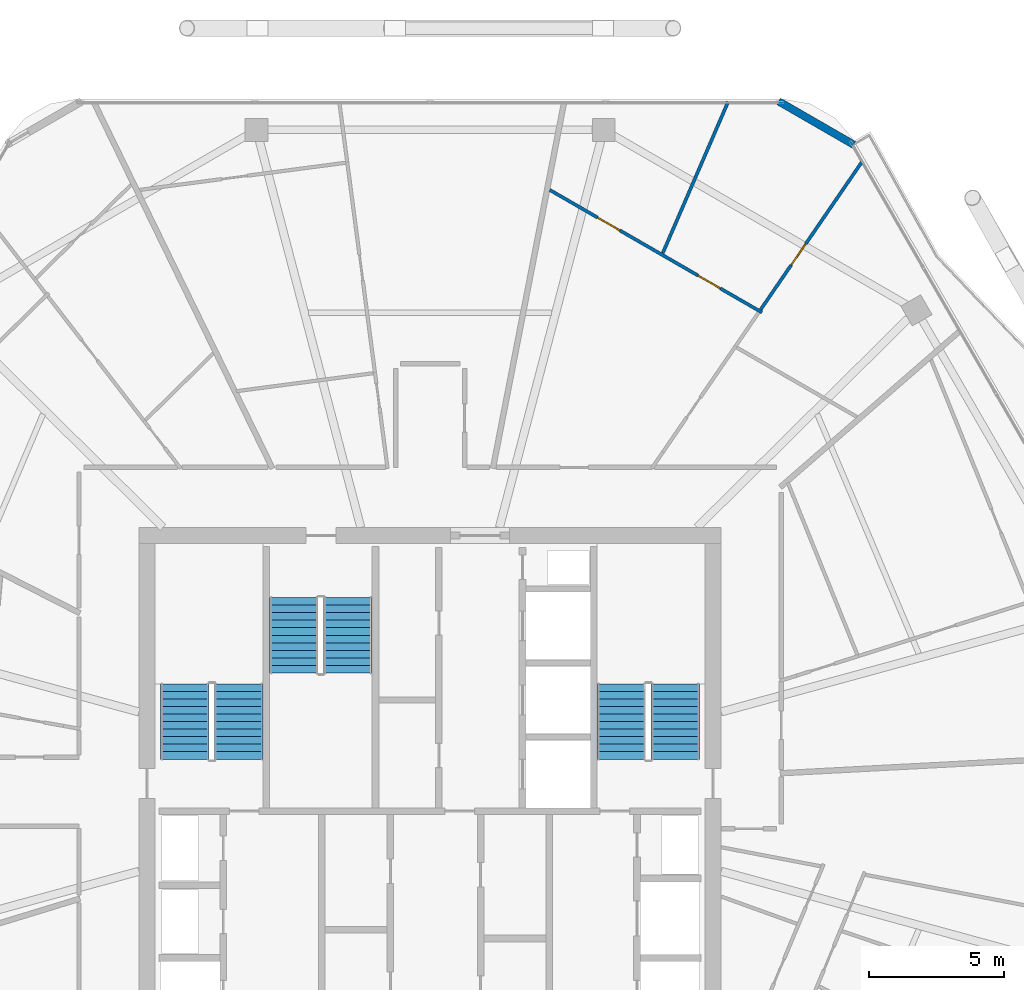
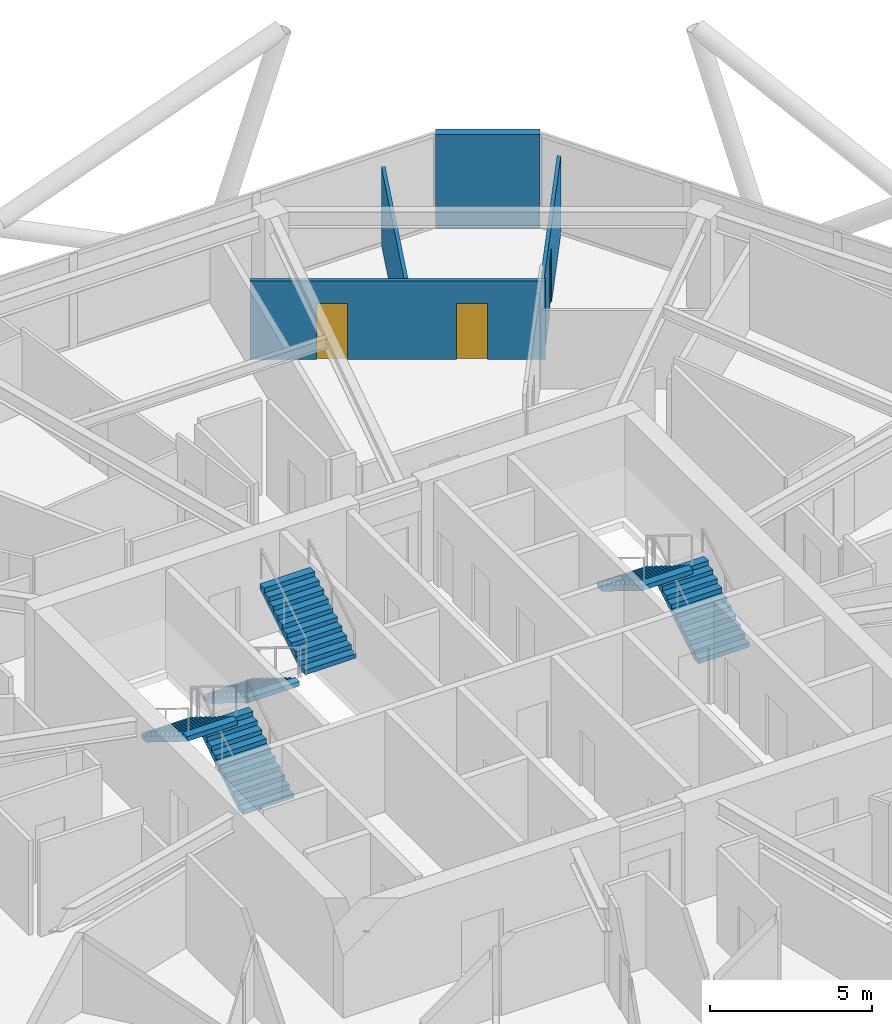
# One storey, part 25 of 28: 6 stair flights, 4 walls, 3 doors, 3 openings, 3 elements without a shape of their own.
"""IFC4 building model written with IfcOpenShell, lengths in metres."""

from ifc_helpers import new_model, si_unit, direction, frame, frame_2d, origin, place, context, subcontext, project, spatial, polyline, rectangle, outline, extrude, material, layer, layer_set, type_object, element, fill, aggregate, save


model = new_model("IFC4")

# Units and contexts
model_context = context("Model", 3, precision=1e-05, world=origin(), true_north=direction((0.0, 1.0)))
body_context = subcontext(model_context, "Body", "Model", "MODEL_VIEW")
ifc_project = project(units=[si_unit("LENGTHUNIT", "METRE"), si_unit("AREAUNIT", "SQUARE_METRE"), si_unit("VOLUMEUNIT", "CUBIC_METRE"), si_unit("PLANEANGLEUNIT", "RADIAN"), si_unit("MASSUNIT", "GRAM", prefix="KILO")], contexts=[model_context])

# Site, building, storey
site_placement = place(None, origin())
site = spatial("IfcSite", under=ifc_project, at=site_placement, CompositionType="ELEMENT")
building_placement = place(site_placement, origin())
building = spatial("IfcBuilding", under=site, at=building_placement, Name="Zuhravey Tower", CompositionType="ELEMENT")
storey_placement = place(building_placement, frame((0.0, 0.0, 284.39990234375)))
storey = spatial("IfcBuildingStorey", under=building, at=storey_placement, Name="L72", CompositionType="ELEMENT", Elevation=284.39990234375)

# Wall
ifc_material_1 = material(Name="Precast concrete C40/50", Category="concrete")
ifc_layer_1 = layer(ifc_material_1, 0.280029296875)
ifc_layer_set_1 = layer_set([ifc_layer_1], Name="Precast concrete C40/50")
wall_type_1 = type_object("IfcWallType", Name="Crown Architectural Wall 280", PredefinedType="SOLIDWALL", material=ifc_layer_set_1)
wall_1_placement = place(storey_placement, frame((48.930419921875, 57.611083984375, 0.0), z_axis=(0.0, 0.0, 1.0), x_axis=(0.866028773314, -0.499994163758, 0.0)))
element("IfcWall", 1, at=wall_1_placement, inside=storey, type_object=wall_type_1, Name="L72 Rounded Corner Closure Wall EW28-10", PredefinedType="SOLIDWALL", context=body_context, shape_type="SweptSolid", body=[
    extrude(rectangle(XDim=3.21484375, YDim=0.280029296875, at=frame_2d((1.607421875, 0.0))), origin(), (0.0, 0.0, 1.0), 3.550048828125),
])

# Wall, openings, doors
ifc_material_2 = material(Name="Gypsum metal-stud partition")
ifc_layer_2 = layer(ifc_material_2, 0.1201171875)
ifc_layer_set_2 = layer_set([ifc_layer_2], Name="Gypsum metal-stud partition")
wall_type_2 = type_object("IfcWallType", Name="Unit Internal Partition 120", PredefinedType="PARTITIONING", material=ifc_layer_set_2)
wall_2_placement = place(storey_placement, frame((48.312255859375, 49.77783203125, 0.0), z_axis=(0.0, 0.0, 1.0), x_axis=(-0.866028157381, 0.499995230601, 0.0)))
wall_2 = element("IfcWall", 2, at=wall_2_placement, inside=storey, type_object=wall_type_2, Name="L72 IW12 Partition 051", PredefinedType="PARTITIONING", context=body_context, shape_type="SweptSolid", body=[
    extrude(rectangle(XDim=9.09033203125, YDim=0.1201171875, at=frame_2d((4.545166015625, 0.0))), origin(), (0.0, 0.0, 1.0), 2.9501953125),
])
opening_1_placement = place(wall_2_placement, frame((1.7861328125, 0.0, 0.0)))
opening_1 = element("IfcOpeningElement", 3, at=opening_1_placement, cuts=wall_2, Name="Opening IND1", PredefinedType="OPENING", context=body_context, shape_type="SweptSolid", body=[
    extrude(rectangle(XDim=0.949951171875, YDim=2.10009765625, at=frame_2d((0.47509765625, 1.050048828125))), frame((0.0, 0.072021484375, 0.0), z_axis=(0.0, -1.0, 0.0), x_axis=(1.0, 0.0, 0.0)), (0.0, 0.0, 1.0), 0.14404296875),
])
opening_2_placement = place(wall_2_placement, frame((6.090576171875, 0.0, 0.0)))
opening_2 = element("IfcOpeningElement", 4, at=opening_2_placement, cuts=wall_2, Name="Opening IND1", PredefinedType="OPENING", context=body_context, shape_type="SweptSolid", body=[
    extrude(rectangle(XDim=0.949951171875, YDim=2.10009765625, at=frame_2d((0.47509765625, 1.050048828125))), frame((0.0, 0.072021484375, 0.0), z_axis=(0.0, -1.0, 0.0), x_axis=(1.0, 0.0, 0.0)), (0.0, 0.0, 1.0), 0.14404296875),
])
ifc_material_3 = material(Name="Painted engineered timber leaf", Category="wood")
door_type = type_object("IfcDoorType", Name="Internal Room & Bedroom Door 950x2100", OperationType="NOTDEFINED", PredefinedType="DOOR", material=ifc_material_3)
door_1_placement = place(opening_1_placement, frame((0.949951171875, 0.0, 0.0), z_axis=(0.0, 0.0, 1.0), x_axis=(-1.0, 0.0, 0.0)))
door_1 = element("IfcDoor", 5, at=door_1_placement, inside=storey, type_object=door_type, Name="Apartment L72-07 Family Study Door", OperationType="SINGLE_SWING_LEFT", OverallHeight=2.10009765625, OverallWidth=0.949951171875, PredefinedType="DOOR", context=body_context, shape_type="SweptSolid", body=[
    extrude(rectangle(XDim=0.949951171875, YDim=2.10009765625, at=frame_2d((0.47509765625, 1.050048828125))), frame((0.0, 0.02490234375, 0.0), z_axis=(0.0, -1.0, 0.0), x_axis=(1.0, 0.0, 0.0)), (0.0, 0.0, 1.0), 0.050048828125),
])
fill(opening_1, door_1)
door_2_placement = place(opening_2_placement, frame((0.949951171875, 0.0, 0.0), z_axis=(0.0, 0.0, 1.0), x_axis=(-1.0, 0.0, 0.0)))
door_2 = element("IfcDoor", 6, at=door_2_placement, inside=storey, type_object=door_type, Name="Apartment L72-07 Dining Room Door", OperationType="SINGLE_SWING_RIGHT", OverallHeight=2.10009765625, OverallWidth=0.949951171875, PredefinedType="DOOR", context=body_context, shape_type="SweptSolid", body=[
    extrude(rectangle(XDim=0.949951171875, YDim=2.10009765625, at=frame_2d((0.47509765625, 1.050048828125))), frame((0.0, 0.02490234375, 0.0), z_axis=(0.0, -1.0, 0.0), x_axis=(1.0, 0.0, 0.0)), (0.0, 0.0, 1.0), 0.050048828125),
])
fill(opening_2, door_2)

# Wall, opening, door
wall_3_placement = place(storey_placement, frame((48.263916015625, 49.88427734375, 0.0), z_axis=(0.0, 0.0, 1.0), x_axis=(0.565549031971, 0.824714673349, 0.0)))
wall_3 = element("IfcWall", 7, at=wall_3_placement, inside=storey, type_object=wall_type_2, Name="L72 IW12 Partition 054", PredefinedType="PARTITIONING", context=body_context, shape_type="SweptSolid", body=[
    extrude(rectangle(XDim=6.654541015625, YDim=0.1201171875, at=frame_2d((3.3271484375, 0.0))), origin(), (0.0, 0.0, 1.0), 2.93017578125),
])
opening_3_placement = place(wall_3_placement, frame((2.005615234375, 0.0, 0.0)))
opening_3 = element("IfcOpeningElement", 8, at=opening_3_placement, cuts=wall_3, Name="Opening IND1", PredefinedType="OPENING", context=body_context, shape_type="SweptSolid", body=[
    extrude(rectangle(XDim=0.949951171875, YDim=2.10009765625, at=frame_2d((0.47509765625, 1.050048828125))), frame((0.0, 0.072021484375, 0.0), z_axis=(0.0, -1.0, 0.0), x_axis=(1.0, 0.0, 0.0)), (0.0, 0.0, 1.0), 0.14404296875),
])
door_3_placement = place(opening_3_placement, frame((0.949951171875, 0.0, 0.0), z_axis=(0.0, 0.0, 1.0), x_axis=(-1.0, 0.0, 0.0)))
door_3 = element("IfcDoor", 9, at=door_3_placement, inside=storey, type_object=door_type, Name="Apartment L72-07 Bedroom 1 Door", OperationType="SINGLE_SWING_RIGHT", OverallHeight=2.10009765625, OverallWidth=0.949951171875, PredefinedType="DOOR", context=body_context, shape_type="SweptSolid", body=[
    extrude(rectangle(XDim=0.949951171875, YDim=2.10009765625, at=frame_2d((0.47509765625, 1.050048828125))), frame((0.0, 0.02490234375, 0.0), z_axis=(0.0, -1.0, 0.0), x_axis=(1.0, 0.0, 0.0)), (0.0, 0.0, 1.0), 0.050048828125),
])
fill(opening_3, door_3)

# Wall
wall_4_placement = place(storey_placement, frame((44.63232421875, 51.98095703125, 0.0), z_axis=(0.0, 0.0, 1.0), x_axis=(0.396601995109, 0.917990663065, 0.0)))
element("IfcWall", 10, at=wall_4_placement, inside=storey, type_object=wall_type_2, Name="L72 IW12 Partition 103", PredefinedType="PARTITIONING", context=body_context, shape_type="SweptSolid", body=[
    extrude(rectangle(XDim=6.114013671875, YDim=0.1201171875, at=frame_2d((3.05712890625, 0.0))), origin(), (0.0, 0.0, 1.0), 2.93017578125),
])

# Stair, stair flights
ifc_material_4 = material(Name="Concrete C40/50", Category="concrete")
stair_type = type_object("IfcStairType", Name="Housing Storey Stair Assembly 3800", PredefinedType="HALF_TURN_STAIR", material=ifc_material_4)
stair_1_placement = place(storey_placement, origin())
stair_1 = element("IfcStair", 11, at=stair_1_placement, inside=storey, type_object=stair_type, Name="L72 Core Exit Stair ST1", PredefinedType="HALF_TURN_STAIR")
stair_flight_type = type_object("IfcStairFlightType", Name="Housing Storey Stair Flight 3800", PredefinedType="STRAIGHT", material=ifc_material_4)
stair_flight_1_placement = place(storey_placement, frame((28.89990234375, 33.199951171875, 0.0), z_axis=(0.0, 0.0, 1.0), x_axis=(0.0, 1.0, 0.0)))
stair_flight_1 = element("IfcStairFlight", 12, at=stair_flight_1_placement, type_object=stair_flight_type, Name="ST1 flight 1", NumberOfRisers=11, NumberOfTreads=10, PredefinedType="STRAIGHT", RiserHeight=0.172727273, TreadLength=0.28, context=body_context, shape_type="SweptSolid", body=[
    extrude(outline(polyline([(0.0, 0.0), (0.0, 0.172607421875), (0.280029296875, 0.172607421875), (0.280029296875, 0.345458984375), (0.56005859375, 0.345458984375), (0.56005859375, 0.51806640625), (0.840087890625, 0.51806640625), (0.840087890625, 0.69091796875), (1.1201171875, 0.69091796875), (1.1201171875, 0.863525390625), (1.39990234375, 0.863525390625), (1.39990234375, 1.036376953125), (1.679931640625, 1.036376953125), (1.679931640625, 1.208984375), (1.9599609375, 1.208984375), (1.9599609375, 1.3818359375), (2.239990234375, 1.3818359375), (2.239990234375, 1.554443359375), (2.52001953125, 1.554443359375), (2.52001953125, 1.727294921875), (2.800048828125, 1.727294921875), (2.800048828125, 1.89990234375), (2.800048828125, 1.551025390625), (0.285400390625, 0.0), (0.0, 0.0)])), frame((0.0, 0.89990234375, 0.0), z_axis=(0.0, -1.0, 0.0), x_axis=(1.0, 0.0, 0.0)), (0.0, 0.0, 1.0), 1.800048828125),
])
stair_flight_2_placement = place(storey_placement, frame((26.89990234375, 36.0, 1.900146484375), z_axis=(0.0, 0.0, 1.0), x_axis=(0.0, -1.0, 0.0)))
stair_flight_2 = element("IfcStairFlight", 13, at=stair_flight_2_placement, type_object=stair_flight_type, Name="ST1 flight 2", NumberOfRisers=11, NumberOfTreads=10, PredefinedType="STRAIGHT", RiserHeight=0.172727273, TreadLength=0.28, context=body_context, shape_type="SweptSolid", body=[
    extrude(outline(polyline([(0.0, 0.0), (0.0, 0.172607421875), (0.280029296875, 0.172607421875), (0.280029296875, 0.345458984375), (0.56005859375, 0.345458984375), (0.56005859375, 0.51806640625), (0.840087890625, 0.51806640625), (0.840087890625, 0.69091796875), (1.1201171875, 0.69091796875), (1.1201171875, 0.863525390625), (1.39990234375, 0.863525390625), (1.39990234375, 1.036376953125), (1.679931640625, 1.036376953125), (1.679931640625, 1.208984375), (1.9599609375, 1.208984375), (1.9599609375, 1.3818359375), (2.239990234375, 1.3818359375), (2.239990234375, 1.554443359375), (2.52001953125, 1.554443359375), (2.52001953125, 1.727294921875), (2.800048828125, 1.727294921875), (2.800048828125, 1.89990234375), (2.800048828125, 1.551025390625), (0.285400390625, 0.0), (0.0, 0.0)])), frame((0.0, 0.89990234375, 0.0), z_axis=(0.0, -1.0, 0.0), x_axis=(1.0, 0.0, 0.0)), (0.0, 0.0, 1.0), 1.800048828125),
])
aggregate(stair_1, [stair_flight_1, stair_flight_2])

stair_2_placement = place(storey_placement, origin())
stair_2 = element("IfcStair", 14, at=stair_2_placement, inside=storey, type_object=stair_type, Name="L72 Core Exit Stair ST2", PredefinedType="HALF_TURN_STAIR")
stair_flight_3_placement = place(storey_placement, frame((45.10009765625, 33.199951171875, 0.0), z_axis=(0.0, 0.0, 1.0), x_axis=(0.0, 1.0, 0.0)))
stair_flight_3 = element("IfcStairFlight", 15, at=stair_flight_3_placement, type_object=stair_flight_type, Name="ST2 flight 1", NumberOfRisers=11, NumberOfTreads=10, PredefinedType="STRAIGHT", RiserHeight=0.172727273, TreadLength=0.28, context=body_context, shape_type="SweptSolid", body=[
    extrude(outline(polyline([(0.0, 0.0), (0.0, 0.172607421875), (0.280029296875, 0.172607421875), (0.280029296875, 0.345458984375), (0.56005859375, 0.345458984375), (0.56005859375, 0.51806640625), (0.840087890625, 0.51806640625), (0.840087890625, 0.69091796875), (1.1201171875, 0.69091796875), (1.1201171875, 0.863525390625), (1.39990234375, 0.863525390625), (1.39990234375, 1.036376953125), (1.679931640625, 1.036376953125), (1.679931640625, 1.208984375), (1.9599609375, 1.208984375), (1.9599609375, 1.3818359375), (2.239990234375, 1.3818359375), (2.239990234375, 1.554443359375), (2.52001953125, 1.554443359375), (2.52001953125, 1.727294921875), (2.800048828125, 1.727294921875), (2.800048828125, 1.89990234375), (2.800048828125, 1.551025390625), (0.285400390625, 0.0), (0.0, 0.0)])), frame((0.0, 0.89990234375, 0.0), z_axis=(0.0, -1.0, 0.0), x_axis=(1.0, 0.0, 0.0)), (0.0, 0.0, 1.0), 1.800048828125),
])
stair_flight_4_placement = place(storey_placement, frame((43.10009765625, 36.0, 1.900146484375), z_axis=(0.0, 0.0, 1.0), x_axis=(0.0, -1.0, 0.0)))
stair_flight_4 = element("IfcStairFlight", 16, at=stair_flight_4_placement, type_object=stair_flight_type, Name="ST2 flight 2", NumberOfRisers=11, NumberOfTreads=10, PredefinedType="STRAIGHT", RiserHeight=0.172727273, TreadLength=0.28, context=body_context, shape_type="SweptSolid", body=[
    extrude(outline(polyline([(0.0, 0.0), (0.0, 0.172607421875), (0.280029296875, 0.172607421875), (0.280029296875, 0.345458984375), (0.56005859375, 0.345458984375), (0.56005859375, 0.51806640625), (0.840087890625, 0.51806640625), (0.840087890625, 0.69091796875), (1.1201171875, 0.69091796875), (1.1201171875, 0.863525390625), (1.39990234375, 0.863525390625), (1.39990234375, 1.036376953125), (1.679931640625, 1.036376953125), (1.679931640625, 1.208984375), (1.9599609375, 1.208984375), (1.9599609375, 1.3818359375), (2.239990234375, 1.3818359375), (2.239990234375, 1.554443359375), (2.52001953125, 1.554443359375), (2.52001953125, 1.727294921875), (2.800048828125, 1.727294921875), (2.800048828125, 1.89990234375), (2.800048828125, 1.551025390625), (0.285400390625, 0.0), (0.0, 0.0)])), frame((0.0, 0.89990234375, 0.0), z_axis=(0.0, -1.0, 0.0), x_axis=(1.0, 0.0, 0.0)), (0.0, 0.0, 1.0), 1.800048828125),
])
aggregate(stair_2, [stair_flight_3, stair_flight_4])

stair_3_placement = place(storey_placement, origin())
stair_3 = element("IfcStair", 17, at=stair_3_placement, inside=storey, type_object=stair_type, Name="L72 Core Exit Stair ST3", PredefinedType="HALF_TURN_STAIR")
stair_flight_5_placement = place(storey_placement, frame((30.949951171875, 39.199951171875, 0.0), z_axis=(0.0, 0.0, 1.0), x_axis=(0.0, -1.0, 0.0)))
stair_flight_5 = element("IfcStairFlight", 18, at=stair_flight_5_placement, type_object=stair_flight_type, Name="ST3 flight 1", NumberOfRisers=11, NumberOfTreads=10, PredefinedType="STRAIGHT", RiserHeight=0.172727273, TreadLength=0.28, context=body_context, shape_type="SweptSolid", body=[
    extrude(outline(polyline([(0.0, 0.0), (0.0, 0.172607421875), (0.280029296875, 0.172607421875), (0.280029296875, 0.345458984375), (0.56005859375, 0.345458984375), (0.56005859375, 0.51806640625), (0.840087890625, 0.51806640625), (0.840087890625, 0.69091796875), (1.1201171875, 0.69091796875), (1.1201171875, 0.863525390625), (1.39990234375, 0.863525390625), (1.39990234375, 1.036376953125), (1.679931640625, 1.036376953125), (1.679931640625, 1.208984375), (1.9599609375, 1.208984375), (1.9599609375, 1.3818359375), (2.239990234375, 1.3818359375), (2.239990234375, 1.554443359375), (2.52001953125, 1.554443359375), (2.52001953125, 1.727294921875), (2.800048828125, 1.727294921875), (2.800048828125, 1.89990234375), (2.800048828125, 1.551025390625), (0.285400390625, 0.0), (0.0, 0.0)])), frame((0.0, 0.89990234375, 0.0), z_axis=(0.0, -1.0, 0.0), x_axis=(1.0, 0.0, 0.0)), (0.0, 0.0, 1.0), 1.800048828125),
])
stair_flight_6_placement = place(storey_placement, frame((32.949951171875, 36.39990234375, 1.900146484375), z_axis=(0.0, 0.0, 1.0), x_axis=(0.0, 1.0, 0.0)))
stair_flight_6 = element("IfcStairFlight", 19, at=stair_flight_6_placement, type_object=stair_flight_type, Name="ST3 flight 2", NumberOfRisers=11, NumberOfTreads=10, PredefinedType="STRAIGHT", RiserHeight=0.172727273, TreadLength=0.28, context=body_context, shape_type="SweptSolid", body=[
    extrude(outline(polyline([(0.0, 0.0), (0.0, 0.172607421875), (0.280029296875, 0.172607421875), (0.280029296875, 0.345458984375), (0.56005859375, 0.345458984375), (0.56005859375, 0.51806640625), (0.840087890625, 0.51806640625), (0.840087890625, 0.69091796875), (1.1201171875, 0.69091796875), (1.1201171875, 0.863525390625), (1.39990234375, 0.863525390625), (1.39990234375, 1.036376953125), (1.679931640625, 1.036376953125), (1.679931640625, 1.208984375), (1.9599609375, 1.208984375), (1.9599609375, 1.3818359375), (2.239990234375, 1.3818359375), (2.239990234375, 1.554443359375), (2.52001953125, 1.554443359375), (2.52001953125, 1.727294921875), (2.800048828125, 1.727294921875), (2.800048828125, 1.89990234375), (2.800048828125, 1.551025390625), (0.285400390625, 0.0), (0.0, 0.0)])), frame((0.0, 0.89990234375, 0.0), z_axis=(0.0, -1.0, 0.0), x_axis=(1.0, 0.0, 0.0)), (0.0, 0.0, 1.0), 1.800048828125),
])
aggregate(stair_3, [stair_flight_5, stair_flight_6])

save(model, "model.ifc")
